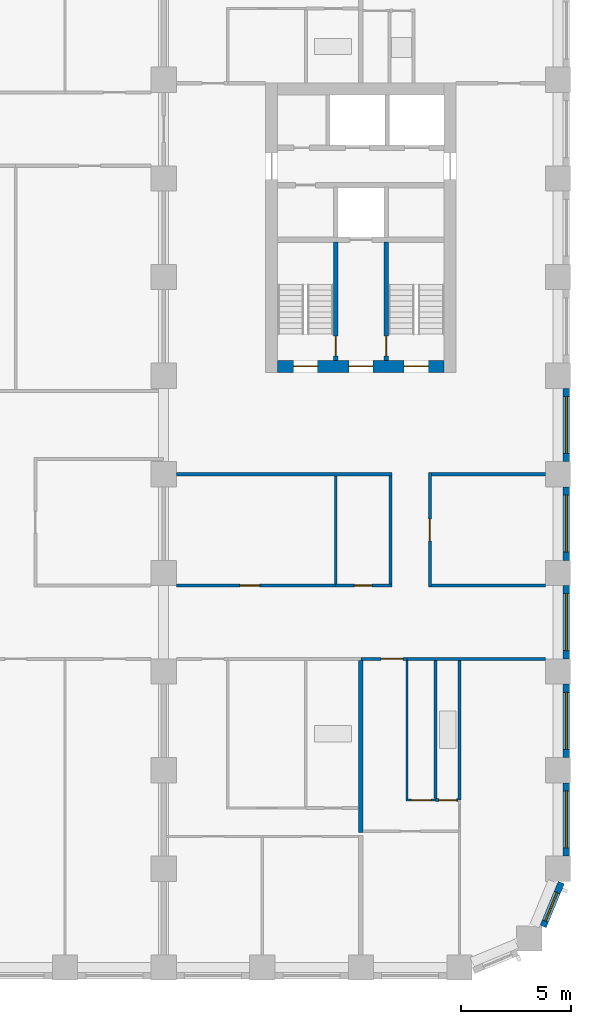
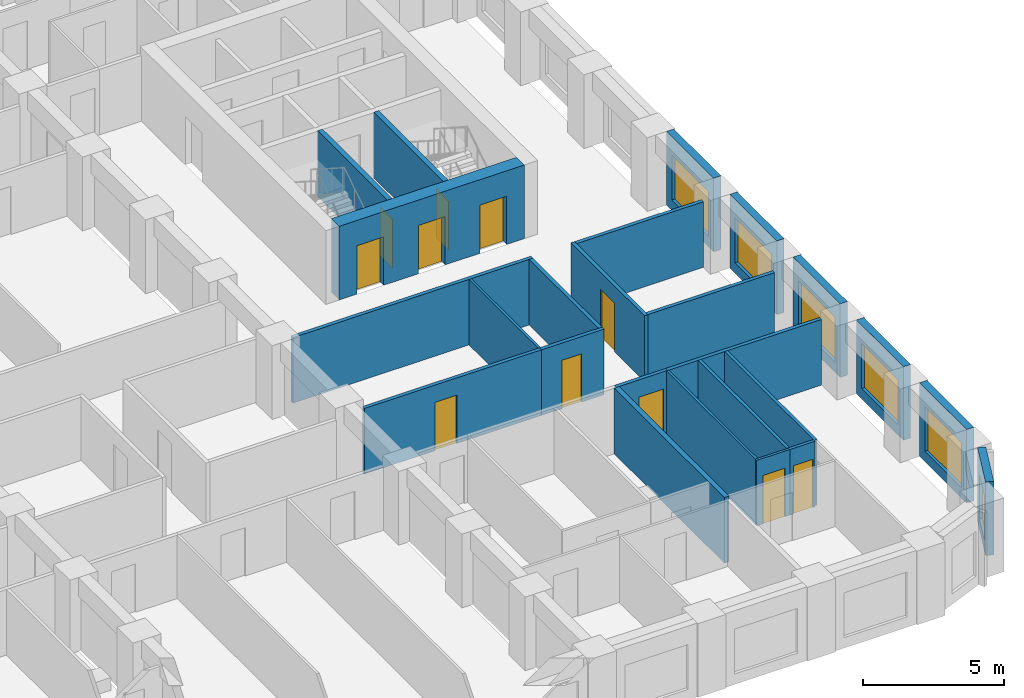
# One storey, part 5 of 12: 25 walls, 11 doors, 6 windows, 17 openings.
"""IFC4 building model written with IfcOpenShell, lengths in metres."""

from ifc_helpers import new_model, si_unit, direction, frame, frame_2d, origin, place, context, subcontext, project, spatial, rectangle, extrude, material, layer, layer_set, type_object, element, fill, save


model = new_model("IFC4")

# Units and contexts
model_context = context("Model", 3, precision=1e-05, world=origin(), true_north=direction((0.0, 1.0)))
body_context = subcontext(model_context, "Body", "Model", "MODEL_VIEW")
ifc_project = project(units=[si_unit("LENGTHUNIT", "METRE"), si_unit("AREAUNIT", "SQUARE_METRE"), si_unit("VOLUMEUNIT", "CUBIC_METRE"), si_unit("PLANEANGLEUNIT", "RADIAN"), si_unit("MASSUNIT", "GRAM", prefix="KILO")], contexts=[model_context])

# Site, building, storey
site_placement = place(None, origin())
site = spatial("IfcSite", under=ifc_project, at=site_placement, CompositionType="ELEMENT")
building_placement = place(site_placement, origin())
building = spatial("IfcBuilding", under=site, at=building_placement, Name="Girih Gate Residences", CompositionType="ELEMENT")
storey_placement = place(building_placement, frame((0.0, 0.0, 121.60009765625)))
storey = spatial("IfcBuildingStorey", under=building, at=storey_placement, Name="L34", CompositionType="ELEMENT", Elevation=121.60009765625)

# Wall, opening, door
ifc_material_1 = material(Name="Gypsum board on steel studs", Category="steel")
ifc_layer_1 = layer(ifc_material_1, 0.14990234375)
ifc_layer_set_1 = layer_set([ifc_layer_1], Name="Compartment wall 150 mm")
wall_type_1 = type_object("IfcWallType", Name="Compartment wall 150 mm", PredefinedType="PARTITIONING", material=ifc_layer_set_1)
wall_1_placement = place(storey_placement, frame((42.60009765625, 14.074951171875, 0.0), z_axis=(0.0, 0.0, 1.0), x_axis=(-1.0, 0.0, 0.0)))
wall_1 = element("IfcWall", 1, at=wall_1_placement, inside=storey, type_object=wall_type_1, Name="L34 partition", PredefinedType="PARTITIONING", context=body_context, shape_type="SweptSolid", body=[
    extrude(rectangle(XDim=2.10009765625, YDim=0.14990234375, at=frame_2d((1.050048828125, 0.0))), origin(), (0.0, 0.0, 1.0), 2.849853515625),
])
opening_1_placement = place(wall_1_placement, frame((0.175048828125, 0.0, 0.0)))
opening_1 = element("IfcOpeningElement", 2, at=opening_1_placement, cuts=wall_1, Name="Opening A34-018", PredefinedType="OPENING", context=body_context, shape_type="SweptSolid", body=[
    extrude(rectangle(XDim=1.0, YDim=2.10009765625, at=frame_2d((0.5, 1.050048828125))), frame((0.0, 0.0849609375, 0.0), z_axis=(0.0, -1.0, 0.0), x_axis=(1.0, 0.0, 0.0)), (0.0, 0.0, 1.0), 0.169921875),
])
ifc_material_2 = material(Name="Timber, fire-rated core", Category="wood")
door_type_1 = type_object("IfcDoorType", Name="Flat entrance door 1000x2100 FD30S", OperationType="NOTDEFINED", PredefinedType="DOOR", material=ifc_material_2)
door_1_placement = place(opening_1_placement, origin())
door_1 = element("IfcDoor", 3, at=door_1_placement, inside=storey, type_object=door_type_1, Name="Door A34-018", OperationType="SINGLE_SWING_LEFT", OverallHeight=2.10009765625, OverallWidth=1.0, PredefinedType="DOOR", context=body_context, shape_type="SweptSolid", body=[
    extrude(rectangle(XDim=1.0, YDim=2.10009765625, at=frame_2d((0.5, 1.050048828125))), frame((0.0, 0.02490234375, 0.0), z_axis=(0.0, -1.0, 0.0), x_axis=(1.0, 0.0, 0.0)), (0.0, 0.0, 1.0), 0.050048828125),
])
fill(opening_1, door_1)

# Wall
wall_2_placement = place(storey_placement, frame((42.60009765625, 14.074951171875, 0.0), z_axis=(0.0, 0.0, 1.0), x_axis=(1.0, 0.0, 0.0)))
element("IfcWall", 4, at=wall_2_placement, inside=storey, type_object=wall_type_1, Name="L34 partition", PredefinedType="PARTITIONING", context=body_context, shape_type="SweptSolid", body=[
    extrude(rectangle(XDim=6.324951171875, YDim=0.14990234375, at=frame_2d((3.16259765625, 0.0))), origin(), (0.0, 0.0, 1.0), 2.849853515625),
])

# Wall, opening, door
wall_3_placement = place(storey_placement, frame((32.074951171875, 17.425048828125, 0.0), z_axis=(0.0, 0.0, 1.0), x_axis=(1.0, 0.0, 0.0)))
wall_3 = element("IfcWall", 5, at=wall_3_placement, inside=storey, type_object=wall_type_1, Name="L34 partition", PredefinedType="PARTITIONING", context=body_context, shape_type="SweptSolid", body=[
    extrude(rectangle(XDim=7.275146484375, YDim=0.14990234375, at=frame_2d((3.6376953125, 0.0))), origin(), (0.0, 0.0, 1.0), 2.849853515625),
])
opening_2_placement = place(wall_3_placement, frame((2.89990234375, 0.0, 0.0)))
opening_2 = element("IfcOpeningElement", 6, at=opening_2_placement, cuts=wall_3, Name="Opening A34-045", PredefinedType="OPENING", context=body_context, shape_type="SweptSolid", body=[
    extrude(rectangle(XDim=0.89990234375, YDim=2.10009765625, at=frame_2d((0.449951171875, 1.050048828125))), frame((0.0, 0.0849609375, 0.0), z_axis=(0.0, -1.0, 0.0), x_axis=(1.0, 0.0, 0.0)), (0.0, 0.0, 1.0), 0.169921875),
])
ifc_material_3 = material(Name="Timber", Category="wood")
door_type_2 = type_object("IfcDoorType", Name="Service room door 900x2100", OperationType="NOTDEFINED", PredefinedType="DOOR", material=ifc_material_3)
door_2_placement = place(opening_2_placement, origin())
door_2 = element("IfcDoor", 7, at=door_2_placement, inside=storey, type_object=door_type_2, Name="Door A34-045", OperationType="SINGLE_SWING_LEFT", OverallHeight=2.10009765625, OverallWidth=0.89990234375, PredefinedType="DOOR", context=body_context, shape_type="SweptSolid", body=[
    extrude(rectangle(XDim=0.89990234375, YDim=2.10009765625, at=frame_2d((0.449951171875, 1.050048828125))), frame((0.0, 0.02490234375, 0.0), z_axis=(0.0, -1.0, 0.0), x_axis=(1.0, 0.0, 0.0)), (0.0, 0.0, 1.0), 0.050048828125),
])
fill(opening_2, door_2)

wall_4_placement = place(storey_placement, frame((39.35009765625, 17.425048828125, 0.0), z_axis=(0.0, 0.0, 1.0), x_axis=(1.0, 0.0, 0.0)))
wall_4 = element("IfcWall", 8, at=wall_4_placement, inside=storey, type_object=wall_type_1, Name="L34 partition", PredefinedType="PARTITIONING", context=body_context, shape_type="SweptSolid", body=[
    extrude(rectangle(XDim=2.574951171875, YDim=0.14990234375, at=frame_2d((1.28759765625, 0.0))), origin(), (0.0, 0.0, 1.0), 2.849853515625),
])
opening_3_placement = place(wall_4_placement, frame((0.85009765625, 0.0, 0.0)))
opening_3 = element("IfcOpeningElement", 9, at=opening_3_placement, cuts=wall_4, Name="Opening A34-047", PredefinedType="OPENING", context=body_context, shape_type="SweptSolid", body=[
    extrude(rectangle(XDim=0.800048828125, YDim=2.10009765625, at=frame_2d((0.39990234375, 1.050048828125))), frame((0.0, 0.0849609375, 0.0), z_axis=(0.0, -1.0, 0.0), x_axis=(1.0, 0.0, 0.0)), (0.0, 0.0, 1.0), 0.169921875),
])
door_type_3 = type_object("IfcDoorType", Name="Bathroom door 800x2100", OperationType="NOTDEFINED", PredefinedType="DOOR", material=ifc_material_3)
door_3_placement = place(opening_3_placement, origin())
door_3 = element("IfcDoor", 10, at=door_3_placement, inside=storey, type_object=door_type_3, Name="Door A34-047", OperationType="SINGLE_SWING_LEFT", OverallHeight=2.10009765625, OverallWidth=0.800048828125, PredefinedType="DOOR", context=body_context, shape_type="SweptSolid", body=[
    extrude(rectangle(XDim=0.800048828125, YDim=2.10009765625, at=frame_2d((0.39990234375, 1.050048828125))), frame((0.0, 0.02490234375, 0.0), z_axis=(0.0, -1.0, 0.0), x_axis=(1.0, 0.0, 0.0)), (0.0, 0.0, 1.0), 0.050048828125),
])
fill(opening_3, door_3)

# Walls
wall_5_placement = place(storey_placement, frame((43.72509765625, 17.425048828125, 0.0), z_axis=(0.0, 0.0, 1.0), x_axis=(1.0, 0.0, 0.0)))
element("IfcWall", 11, at=wall_5_placement, inside=storey, type_object=wall_type_1, Name="L34 partition", PredefinedType="PARTITIONING", context=body_context, shape_type="SweptSolid", body=[
    extrude(rectangle(XDim=5.199951171875, YDim=0.14990234375, at=frame_2d((2.60009765625, 0.0))), origin(), (0.0, 0.0, 1.0), 2.849853515625),
])
wall_6_placement = place(storey_placement, frame((32.074951171875, 22.5, 0.0), z_axis=(0.0, 0.0, 1.0), x_axis=(1.0, 0.0, 0.0)))
element("IfcWall", 12, at=wall_6_placement, inside=storey, type_object=wall_type_1, Name="L34 partition", PredefinedType="PARTITIONING", context=body_context, shape_type="SweptSolid", body=[
    extrude(rectangle(XDim=9.85009765625, YDim=0.14990234375, at=frame_2d((4.925048828125, 0.0))), origin(), (0.0, 0.0, 1.0), 2.849853515625),
])
wall_7_placement = place(storey_placement, frame((43.72509765625, 22.5, 0.0), z_axis=(0.0, 0.0, 1.0), x_axis=(1.0, 0.0, 0.0)))
element("IfcWall", 13, at=wall_7_placement, inside=storey, type_object=wall_type_1, Name="L34 partition", PredefinedType="PARTITIONING", context=body_context, shape_type="SweptSolid", body=[
    extrude(rectangle(XDim=5.199951171875, YDim=0.14990234375, at=frame_2d((2.60009765625, 0.0))), origin(), (0.0, 0.0, 1.0), 2.849853515625),
])
wall_8_placement = place(storey_placement, frame((41.85009765625, 17.5, 0.0), z_axis=(0.0, 0.0, 1.0), x_axis=(0.0, 1.0, 0.0)))
element("IfcWall", 14, at=wall_8_placement, inside=storey, type_object=wall_type_1, Name="L34 partition", PredefinedType="PARTITIONING", context=body_context, shape_type="SweptSolid", body=[
    extrude(rectangle(XDim=4.925048828125, YDim=0.14990234375, at=frame_2d((2.46240234375, 0.0))), origin(), (0.0, 0.0, 1.0), 2.849853515625),
])

# Wall, opening, door
wall_9_placement = place(storey_placement, frame((43.64990234375, 22.574951171875, 0.0), z_axis=(0.0, 0.0, 1.0), x_axis=(0.0, -1.0, 0.0)))
wall_9 = element("IfcWall", 15, at=wall_9_placement, inside=storey, type_object=wall_type_1, Name="L34 partition", PredefinedType="PARTITIONING", context=body_context, shape_type="SweptSolid", body=[
    extrude(rectangle(XDim=5.224853515625, YDim=0.14990234375, at=frame_2d((2.6123046875, 0.0))), origin(), (0.0, 0.0, 1.0), 2.849853515625),
])
opening_4_placement = place(wall_9_placement, frame((2.112548828125, 0.0, 0.0)))
opening_4 = element("IfcOpeningElement", 16, at=opening_4_placement, cuts=wall_9, Name="Opening A34-049", PredefinedType="OPENING", context=body_context, shape_type="SweptSolid", body=[
    extrude(rectangle(XDim=1.0, YDim=2.10009765625, at=frame_2d((0.5, 1.050048828125))), frame((0.0, 0.0849609375, 0.0), z_axis=(0.0, -1.0, 0.0), x_axis=(1.0, 0.0, 0.0)), (0.0, 0.0, 1.0), 0.169921875),
])
door_type_4 = type_object("IfcDoorType", Name="Amenity room door 1000x2100 FD30S", OperationType="NOTDEFINED", PredefinedType="DOOR", material=ifc_material_2)
door_4_placement = place(opening_4_placement, origin())
door_4 = element("IfcDoor", 17, at=door_4_placement, inside=storey, type_object=door_type_4, Name="Door A34-049", OperationType="SINGLE_SWING_RIGHT", OverallHeight=2.10009765625, OverallWidth=1.0, PredefinedType="DOOR", context=body_context, shape_type="SweptSolid", body=[
    extrude(rectangle(XDim=1.0, YDim=2.10009765625, at=frame_2d((0.5, 1.050048828125))), frame((0.0, 0.02490234375, 0.0), z_axis=(0.0, -1.0, 0.0), x_axis=(1.0, 0.0, 0.0)), (0.0, 0.0, 1.0), 0.050048828125),
])
fill(opening_4, door_4)

# Wall, openings, doors
ifc_material_4 = material(Name="Concrete C60/75", Category="concrete")
ifc_layer_2 = layer(ifc_material_4, 0.550048828125)
ifc_layer_set_2 = layer_set([ifc_layer_2], Name="Core wall RC 550 Concrete C60/75")
wall_type_2 = type_object("IfcWallType", Name="Core wall RC 550 Concrete C60/75", PredefinedType="SOLIDWALL", material=ifc_layer_set_2)
wall_10_placement = place(storey_placement, frame((36.699951171875, 27.425048828125, 0.0), z_axis=(0.0, 0.0, 1.0), x_axis=(1.0, 0.0, 0.0)))
wall_10 = element("IfcWall", 18, at=wall_10_placement, inside=storey, type_object=wall_type_2, Name="Core wall E-S L34", PredefinedType="SOLIDWALL", context=body_context, shape_type="SweptSolid", body=[
    extrude(rectangle(XDim=7.60009765625, YDim=0.550048828125, at=frame_2d((3.800048828125, 0.0))), origin(), (0.0, 0.0, 1.0), 3.199951171875),
])
opening_5_placement = place(wall_10_placement, frame((5.77490234375, 0.0, 0.0)))
opening_5 = element("IfcOpeningElement", 19, at=opening_5_placement, cuts=wall_10, Name="Opening D-L34-E-008", PredefinedType="OPENING", context=body_context, shape_type="SweptSolid", body=[
    extrude(rectangle(XDim=1.10009765625, YDim=2.10009765625, at=frame_2d((0.550048828125, 1.050048828125))), frame((0.0, 0.284912109375, 0.0), z_axis=(0.0, -1.0, 0.0), x_axis=(1.0, 0.0, 0.0)), (0.0, 0.0, 1.0), 0.570068359375),
])
opening_6_placement = place(wall_10_placement, frame((3.25, 0.0, 0.0)))
opening_6 = element("IfcOpeningElement", 20, at=opening_6_placement, cuts=wall_10, Name="Opening D-L34-E-009", PredefinedType="OPENING", context=body_context, shape_type="SweptSolid", body=[
    extrude(rectangle(XDim=1.10009765625, YDim=2.10009765625, at=frame_2d((0.550048828125, 1.050048828125))), frame((0.0, 0.284912109375, 0.0), z_axis=(0.0, -1.0, 0.0), x_axis=(1.0, 0.0, 0.0)), (0.0, 0.0, 1.0), 0.570068359375),
])
opening_7_placement = place(wall_10_placement, frame((0.72509765625, 0.0, 0.0)))
opening_7 = element("IfcOpeningElement", 21, at=opening_7_placement, cuts=wall_10, Name="Opening D-L34-E-010", PredefinedType="OPENING", context=body_context, shape_type="SweptSolid", body=[
    extrude(rectangle(XDim=1.10009765625, YDim=2.10009765625, at=frame_2d((0.550048828125, 1.050048828125))), frame((0.0, 0.284912109375, 0.0), z_axis=(0.0, -1.0, 0.0), x_axis=(1.0, 0.0, 0.0)), (0.0, 0.0, 1.0), 0.570068359375),
])
ifc_material_5 = material(Name="Painted steel, fire-resisting", Category="steel")
door_type_5 = type_object("IfcDoorType", Name="Fire door 1100x2100", OperationType="SINGLE_SWING_LEFT", PredefinedType="DOOR", material=ifc_material_5)
door_5_placement = place(opening_5_placement, origin())
door_5 = element("IfcDoor", 22, at=door_5_placement, inside=storey, type_object=door_type_5, Name="L34 E core door sta-out", OperationType="SINGLE_SWING_LEFT", OverallHeight=2.10009765625, OverallWidth=1.10009765625, PredefinedType="DOOR", context=body_context, shape_type="SweptSolid", body=[
    extrude(rectangle(XDim=1.10009765625, YDim=2.10009765625, at=frame_2d((0.550048828125, 1.050048828125))), frame((0.0, 0.02490234375, 0.0), z_axis=(0.0, -1.0, 0.0), x_axis=(1.0, 0.0, 0.0)), (0.0, 0.0, 1.0), 0.050048828125),
])
fill(opening_5, door_5)
door_6_placement = place(opening_6_placement, origin())
door_6 = element("IfcDoor", 23, at=door_6_placement, inside=storey, type_object=door_type_5, Name="L34 E core door ffl-out", OperationType="SINGLE_SWING_LEFT", OverallHeight=2.10009765625, OverallWidth=1.10009765625, PredefinedType="DOOR", context=body_context, shape_type="SweptSolid", body=[
    extrude(rectangle(XDim=1.10009765625, YDim=2.10009765625, at=frame_2d((0.550048828125, 1.050048828125))), frame((0.0, 0.02490234375, 0.0), z_axis=(0.0, -1.0, 0.0), x_axis=(1.0, 0.0, 0.0)), (0.0, 0.0, 1.0), 0.050048828125),
])
fill(opening_6, door_6)
door_7_placement = place(opening_7_placement, origin())
door_7 = element("IfcDoor", 24, at=door_7_placement, inside=storey, type_object=door_type_5, Name="L34 E core door stb-out", OperationType="SINGLE_SWING_LEFT", OverallHeight=2.10009765625, OverallWidth=1.10009765625, PredefinedType="DOOR", context=body_context, shape_type="SweptSolid", body=[
    extrude(rectangle(XDim=1.10009765625, YDim=2.10009765625, at=frame_2d((0.550048828125, 1.050048828125))), frame((0.0, 0.02490234375, 0.0), z_axis=(0.0, -1.0, 0.0), x_axis=(1.0, 0.0, 0.0)), (0.0, 0.0, 1.0), 0.050048828125),
])
fill(opening_7, door_7)

# Wall
ifc_layer_3 = layer(ifc_material_1, 0.10009765625)
ifc_layer_set_3 = layer_set([ifc_layer_3], Name="Partition 100 mm")
wall_type_3 = type_object("IfcWallType", Name="Partition 100 mm", PredefinedType="PARTITIONING", material=ifc_layer_set_3)
wall_11_placement = place(storey_placement, frame((42.60009765625, 7.68505859375, 0.0), z_axis=(0.0, 0.0, 1.0), x_axis=(0.0, 1.0, 0.0)))
element("IfcWall", 25, at=wall_11_placement, inside=storey, type_object=wall_type_3, Name="L34 partition", PredefinedType="PARTITIONING", context=body_context, shape_type="SweptSolid", body=[
    extrude(rectangle(XDim=6.31494140625, YDim=0.10009765625, at=frame_2d((3.157470703125, 0.0))), origin(), (0.0, 0.0, 1.0), 2.849853515625),
])

# Wall, opening, door
wall_12_placement = place(storey_placement, frame((42.550048828125, 7.635009765625, 0.0), z_axis=(0.0, 0.0, 1.0), x_axis=(1.0, 0.0, 0.0)))
wall_12 = element("IfcWall", 26, at=wall_12_placement, inside=storey, type_object=wall_type_3, Name="L34 partition", PredefinedType="PARTITIONING", context=body_context, shape_type="SweptSolid", body=[
    extrude(rectangle(XDim=1.359130859375, YDim=0.10009765625, at=frame_2d((0.6796875, 0.0))), origin(), (0.0, 0.0, 1.0), 2.849853515625),
])
opening_8_placement = place(wall_12_placement, frame((0.25439453125, 0.0, 0.0)))
opening_8 = element("IfcOpeningElement", 27, at=opening_8_placement, cuts=wall_12, Name="Opening A34-016", PredefinedType="OPENING", context=body_context, shape_type="SweptSolid", body=[
    extrude(rectangle(XDim=0.89990234375, YDim=2.10009765625, at=frame_2d((0.449951171875, 1.050048828125))), frame((0.0, 0.06005859375, 0.0), z_axis=(0.0, -1.0, 0.0), x_axis=(1.0, 0.0, 0.0)), (0.0, 0.0, 1.0), 0.1201171875),
])
door_type_6 = type_object("IfcDoorType", Name="Kitchen door 900x2100", OperationType="NOTDEFINED", PredefinedType="DOOR", material=ifc_material_3)
door_8_placement = place(opening_8_placement, origin())
door_8 = element("IfcDoor", 28, at=door_8_placement, inside=storey, type_object=door_type_6, Name="Door A34-016", OperationType="SINGLE_SWING_RIGHT", OverallHeight=2.10009765625, OverallWidth=0.89990234375, PredefinedType="DOOR", context=body_context, shape_type="SweptSolid", body=[
    extrude(rectangle(XDim=0.89990234375, YDim=2.10009765625, at=frame_2d((0.449951171875, 1.050048828125))), frame((0.0, 0.02490234375, 0.0), z_axis=(0.0, -1.0, 0.0), x_axis=(1.0, 0.0, 0.0)), (0.0, 0.0, 1.0), 0.050048828125),
])
fill(opening_8, door_8)

# Walls
wall_13_placement = place(storey_placement, frame((39.35009765625, 17.5, 0.0), z_axis=(0.0, 0.0, 1.0), x_axis=(0.0, 1.0, 0.0)))
element("IfcWall", 29, at=wall_13_placement, inside=storey, type_object=wall_type_3, Name="L34 partition", PredefinedType="PARTITIONING", context=body_context, shape_type="SweptSolid", body=[
    extrude(rectangle(XDim=4.925048828125, YDim=0.10009765625, at=frame_2d((2.46240234375, 0.0))), origin(), (0.0, 0.0, 1.0), 2.849853515625),
])
ifc_layer_4 = layer(ifc_material_1, 0.199951171875)
ifc_layer_set_4 = layer_set([ifc_layer_4], Name="Party wall 200 mm")
wall_type_4 = type_object("IfcWallType", Name="Party wall 200 mm", PredefinedType="PARTITIONING", material=ifc_layer_set_4)
wall_14_placement = place(storey_placement, frame((40.5, 6.1650390625, 0.0), z_axis=(0.0, 0.0, 1.0), x_axis=(0.0, 1.0, 0.0)))
element("IfcWall", 30, at=wall_14_placement, inside=storey, type_object=wall_type_4, Name="L34 partition", PredefinedType="PARTITIONING", context=body_context, shape_type="SweptSolid", body=[
    extrude(rectangle(XDim=7.8349609375, YDim=0.199951171875, at=frame_2d((3.91748046875, 0.0))), origin(), (0.0, 0.0, 1.0), 2.849853515625),
])

# Wall, opening, window
ifc_material_6 = material(Name="Precast concrete C50/60", Category="concrete")
ifc_layer_5 = layer(ifc_material_6, 0.080078125, Name="Outer leaf")
ifc_material_7 = material(Name="Rigid PIR insulation")
ifc_layer_6 = layer(ifc_material_7, 0.14990234375, Name="Insulation")
ifc_material_8 = material(Name="Precast concrete C40/50", Category="concrete")
ifc_layer_7 = layer(ifc_material_8, 0.070068359375, Name="Inner leaf")
ifc_layer_set_5 = layer_set([ifc_layer_5, ifc_layer_6, ifc_layer_7], Name="Precast concrete C50/60 external wall 300")
wall_type_5 = type_object("IfcWallType", Name="Precast concrete C50/60 external wall 300", PredefinedType="SOLIDWALL", material=ifc_layer_set_5)
wall_15_placement = place(storey_placement, frame((49.64404296875, 3.86767578125, 0.0), z_axis=(0.0, 0.0, 1.0), x_axis=(-0.382723818695, -0.923862802911, 0.0)))
wall_15 = element("IfcWall", 31, at=wall_15_placement, inside=storey, type_object=wall_type_5, Name="External wall SE0482_0013.0", PredefinedType="SOLIDWALL", context=body_context, shape_type="SweptSolid", body=[
    extrude(rectangle(XDim=2.163818359375, YDim=0.300048828125, at=frame_2d((1.08203125, 0.0))), origin(), (0.0, 0.0, 1.0), 3.199951171875),
])
opening_9_placement = place(wall_15_placement, frame((0.492919921875, 0.0, 0.449951171875)))
opening_9 = element("IfcOpeningElement", 32, at=opening_9_placement, cuts=wall_15, Name="Opening W-2D", PredefinedType="OPENING", context=body_context, shape_type="SweptSolid", body=[
    extrude(rectangle(XDim=1.39990234375, YDim=1.949951171875, at=frame_2d((0.699951171875, 0.97509765625))), frame((0.0, 0.159912109375, 0.0), z_axis=(0.0, -1.0, 0.0), x_axis=(1.0, 0.0, 0.0)), (0.0, 0.0, 1.0), 0.320068359375),
])
ifc_material_9 = material(Name="Double glazing in aluminium frame", Category="aluminium")
window_type_1 = type_object("IfcWindowType", Name="Window W-2D 1400x1950", PartitioningType="SINGLE_PANEL", PredefinedType="WINDOW", material=ifc_material_9)
window_1_placement = place(opening_9_placement, origin())
window_1 = element("IfcWindow", 33, at=window_1_placement, inside=storey, type_object=window_type_1, Name="Window W-2D SE0482_0013.0", OverallHeight=1.949951171875, OverallWidth=1.39990234375, PartitioningType="SINGLE_PANEL", PredefinedType="WINDOW", context=body_context, shape_type="SweptSolid", body=[
    extrude(rectangle(XDim=1.39990234375, YDim=1.949951171875, at=frame_2d((0.699951171875, 0.97509765625))), frame((0.0, 0.030029296875, 0.0), z_axis=(0.0, -1.0, 0.0), x_axis=(1.0, 0.0, 0.0)), (0.0, 0.0, 1.0), 0.06005859375),
])
fill(opening_9, window_1)

wall_16_placement = place(storey_placement, frame((49.875, 8.425048828125, 0.0), z_axis=(0.0, 0.0, 1.0), x_axis=(0.0, -1.0, 0.0)))
wall_16 = element("IfcWall", 34, at=wall_16_placement, inside=storey, type_object=wall_type_5, Name="External wall E0495_0045.0", PredefinedType="SOLIDWALL", context=body_context, shape_type="SweptSolid", body=[
    extrude(rectangle(XDim=3.35009765625, YDim=0.300048828125, at=frame_2d((1.675048828125, 0.0))), origin(), (0.0, 0.0, 1.0), 3.199951171875),
])
opening_10_placement = place(wall_16_placement, frame((0.375, 0.0, 0.449951171875)))
opening_10 = element("IfcOpeningElement", 35, at=opening_10_placement, cuts=wall_16, Name="Opening W-1A", PredefinedType="OPENING", context=body_context, shape_type="SweptSolid", body=[
    extrude(rectangle(XDim=2.60009765625, YDim=1.949951171875, at=frame_2d((1.300048828125, 0.97509765625))), frame((0.0, 0.159912109375, 0.0), z_axis=(0.0, -1.0, 0.0), x_axis=(1.0, 0.0, 0.0)), (0.0, 0.0, 1.0), 0.320068359375),
])
window_type_2 = type_object("IfcWindowType", Name="Window W-1A 2600x1950", PartitioningType="SINGLE_PANEL", PredefinedType="WINDOW", material=ifc_material_9)
window_2_placement = place(opening_10_placement, origin())
window_2 = element("IfcWindow", 36, at=window_2_placement, inside=storey, type_object=window_type_2, Name="Window W-1A E0495_0045.0", OverallHeight=1.949951171875, OverallWidth=2.60009765625, PartitioningType="SINGLE_PANEL", PredefinedType="WINDOW", context=body_context, shape_type="SweptSolid", body=[
    extrude(rectangle(XDim=2.60009765625, YDim=1.949951171875, at=frame_2d((1.300048828125, 0.97509765625))), frame((0.0, 0.030029296875, 0.0), z_axis=(0.0, -1.0, 0.0), x_axis=(1.0, 0.0, 0.0)), (0.0, 0.0, 1.0), 0.06005859375),
])
fill(opening_10, window_2)

wall_17_placement = place(storey_placement, frame((49.875, 12.925048828125, 0.0), z_axis=(0.0, 0.0, 1.0), x_axis=(0.0, -1.0, 0.0)))
wall_17 = element("IfcWall", 37, at=wall_17_placement, inside=storey, type_object=wall_type_5, Name="External wall E0495_0045.1", PredefinedType="SOLIDWALL", context=body_context, shape_type="SweptSolid", body=[
    extrude(rectangle(XDim=3.35009765625, YDim=0.300048828125, at=frame_2d((1.675048828125, 0.0))), origin(), (0.0, 0.0, 1.0), 3.199951171875),
])
opening_11_placement = place(wall_17_placement, frame((0.375, 0.0, 0.449951171875)))
opening_11 = element("IfcOpeningElement", 38, at=opening_11_placement, cuts=wall_17, Name="Opening W-1A", PredefinedType="OPENING", context=body_context, shape_type="SweptSolid", body=[
    extrude(rectangle(XDim=2.60009765625, YDim=1.949951171875, at=frame_2d((1.300048828125, 0.97509765625))), frame((0.0, 0.159912109375, 0.0), z_axis=(0.0, -1.0, 0.0), x_axis=(1.0, 0.0, 0.0)), (0.0, 0.0, 1.0), 0.320068359375),
])
window_3_placement = place(opening_11_placement, origin())
window_3 = element("IfcWindow", 39, at=window_3_placement, inside=storey, type_object=window_type_2, Name="Window W-1A E0495_0045.1", OverallHeight=1.949951171875, OverallWidth=2.60009765625, PartitioningType="SINGLE_PANEL", PredefinedType="WINDOW", context=body_context, shape_type="SweptSolid", body=[
    extrude(rectangle(XDim=2.60009765625, YDim=1.949951171875, at=frame_2d((1.300048828125, 0.97509765625))), frame((0.0, 0.030029296875, 0.0), z_axis=(0.0, -1.0, 0.0), x_axis=(1.0, 0.0, 0.0)), (0.0, 0.0, 1.0), 0.06005859375),
])
fill(opening_11, window_3)

wall_18_placement = place(storey_placement, frame((49.875, 17.425048828125, 0.0), z_axis=(0.0, 0.0, 1.0), x_axis=(0.0, -1.0, 0.0)))
wall_18 = element("IfcWall", 40, at=wall_18_placement, inside=storey, type_object=wall_type_5, Name="External wall E0495_0045.2", PredefinedType="SOLIDWALL", context=body_context, shape_type="SweptSolid", body=[
    extrude(rectangle(XDim=3.35009765625, YDim=0.300048828125, at=frame_2d((1.675048828125, 0.0))), origin(), (0.0, 0.0, 1.0), 3.199951171875),
])
opening_12_placement = place(wall_18_placement, frame((0.375, 0.0, 0.449951171875)))
opening_12 = element("IfcOpeningElement", 41, at=opening_12_placement, cuts=wall_18, Name="Opening W-1A", PredefinedType="OPENING", context=body_context, shape_type="SweptSolid", body=[
    extrude(rectangle(XDim=2.60009765625, YDim=1.949951171875, at=frame_2d((1.300048828125, 0.97509765625))), frame((0.0, 0.159912109375, 0.0), z_axis=(0.0, -1.0, 0.0), x_axis=(1.0, 0.0, 0.0)), (0.0, 0.0, 1.0), 0.320068359375),
])
window_4_placement = place(opening_12_placement, origin())
window_4 = element("IfcWindow", 42, at=window_4_placement, inside=storey, type_object=window_type_2, Name="Window W-1A E0495_0045.2", OverallHeight=1.949951171875, OverallWidth=2.60009765625, PartitioningType="SINGLE_PANEL", PredefinedType="WINDOW", context=body_context, shape_type="SweptSolid", body=[
    extrude(rectangle(XDim=2.60009765625, YDim=1.949951171875, at=frame_2d((1.300048828125, 0.97509765625))), frame((0.0, 0.030029296875, 0.0), z_axis=(0.0, -1.0, 0.0), x_axis=(1.0, 0.0, 0.0)), (0.0, 0.0, 1.0), 0.06005859375),
])
fill(opening_12, window_4)

wall_19_placement = place(storey_placement, frame((49.875, 21.925048828125, 0.0), z_axis=(0.0, 0.0, 1.0), x_axis=(0.0, -1.0, 0.0)))
wall_19 = element("IfcWall", 43, at=wall_19_placement, inside=storey, type_object=wall_type_5, Name="External wall E0495_0045.3", PredefinedType="SOLIDWALL", context=body_context, shape_type="SweptSolid", body=[
    extrude(rectangle(XDim=3.35009765625, YDim=0.300048828125, at=frame_2d((1.675048828125, 0.0))), origin(), (0.0, 0.0, 1.0), 3.199951171875),
])
opening_13_placement = place(wall_19_placement, frame((0.375, 0.0, 0.449951171875)))
opening_13 = element("IfcOpeningElement", 44, at=opening_13_placement, cuts=wall_19, Name="Opening W-1A", PredefinedType="OPENING", context=body_context, shape_type="SweptSolid", body=[
    extrude(rectangle(XDim=2.60009765625, YDim=1.949951171875, at=frame_2d((1.300048828125, 0.97509765625))), frame((0.0, 0.159912109375, 0.0), z_axis=(0.0, -1.0, 0.0), x_axis=(1.0, 0.0, 0.0)), (0.0, 0.0, 1.0), 0.320068359375),
])
window_5_placement = place(opening_13_placement, origin())
window_5 = element("IfcWindow", 45, at=window_5_placement, inside=storey, type_object=window_type_2, Name="Window W-1A E0495_0045.3", OverallHeight=1.949951171875, OverallWidth=2.60009765625, PartitioningType="SINGLE_PANEL", PredefinedType="WINDOW", context=body_context, shape_type="SweptSolid", body=[
    extrude(rectangle(XDim=2.60009765625, YDim=1.949951171875, at=frame_2d((1.300048828125, 0.97509765625))), frame((0.0, 0.030029296875, 0.0), z_axis=(0.0, -1.0, 0.0), x_axis=(1.0, 0.0, 0.0)), (0.0, 0.0, 1.0), 0.06005859375),
])
fill(opening_13, window_5)

wall_20_placement = place(storey_placement, frame((49.875, 26.425048828125, 0.0), z_axis=(0.0, 0.0, 1.0), x_axis=(0.0, -1.0, 0.0)))
wall_20 = element("IfcWall", 46, at=wall_20_placement, inside=storey, type_object=wall_type_5, Name="External wall E0495_0045.4", PredefinedType="SOLIDWALL", context=body_context, shape_type="SweptSolid", body=[
    extrude(rectangle(XDim=3.35009765625, YDim=0.300048828125, at=frame_2d((1.675048828125, 0.0))), origin(), (0.0, 0.0, 1.0), 3.199951171875),
])
opening_14_placement = place(wall_20_placement, frame((0.375, 0.0, 0.449951171875)))
opening_14 = element("IfcOpeningElement", 47, at=opening_14_placement, cuts=wall_20, Name="Opening W-1A", PredefinedType="OPENING", context=body_context, shape_type="SweptSolid", body=[
    extrude(rectangle(XDim=2.60009765625, YDim=1.949951171875, at=frame_2d((1.300048828125, 0.97509765625))), frame((0.0, 0.159912109375, 0.0), z_axis=(0.0, -1.0, 0.0), x_axis=(1.0, 0.0, 0.0)), (0.0, 0.0, 1.0), 0.320068359375),
])
window_6_placement = place(opening_14_placement, origin())
window_6 = element("IfcWindow", 48, at=window_6_placement, inside=storey, type_object=window_type_2, Name="Window W-1A E0495_0045.4", OverallHeight=1.949951171875, OverallWidth=2.60009765625, PartitioningType="SINGLE_PANEL", PredefinedType="WINDOW", context=body_context, shape_type="SweptSolid", body=[
    extrude(rectangle(XDim=2.60009765625, YDim=1.949951171875, at=frame_2d((1.300048828125, 0.97509765625))), frame((0.0, 0.030029296875, 0.0), z_axis=(0.0, -1.0, 0.0), x_axis=(1.0, 0.0, 0.0)), (0.0, 0.0, 1.0), 0.06005859375),
])
fill(opening_14, window_6)

# Wall, opening, door
ifc_material_10 = material(Name="Concrete C40/50", Category="concrete")
ifc_layer_8 = layer(ifc_material_10, 0.199951171875)
ifc_layer_set_6 = layer_set([ifc_layer_8], Name="Shaft wall 200")
wall_type_6 = type_object("IfcWallType", Name="Shaft wall 200", PredefinedType="SOLIDWALL", material=ifc_layer_set_6)
wall_21_placement = place(storey_placement, frame((41.64990234375, 27.699951171875, 0.0), z_axis=(0.0, 0.0, 1.0), x_axis=(0.0, 1.0, 0.0)))
wall_21 = element("IfcWall", 49, at=wall_21_placement, inside=storey, type_object=wall_type_6, Name="L34 E core wall V1a", PredefinedType="SOLIDWALL", context=body_context, shape_type="SweptSolid", body=[
    extrude(rectangle(XDim=5.400146484375, YDim=0.199951171875, at=frame_2d((2.7001953125, 0.0))), origin(), (0.0, 0.0, 1.0), 2.849853515625),
])
opening_15_placement = place(wall_21_placement, frame((0.199951171875, 0.0, 0.0)))
opening_15 = element("IfcOpeningElement", 50, at=opening_15_placement, cuts=wall_21, Name="Opening D-L34-E-001", PredefinedType="OPENING", context=body_context, shape_type="SweptSolid", body=[
    extrude(rectangle(XDim=0.89990234375, YDim=2.10009765625, at=frame_2d((0.449951171875, 1.050048828125))), frame((0.0, 0.10986328125, 0.0), z_axis=(0.0, -1.0, 0.0), x_axis=(1.0, 0.0, 0.0)), (0.0, 0.0, 1.0), 0.219970703125),
])
door_type_7 = type_object("IfcDoorType", Name="Fire door 900x2100", OperationType="SINGLE_SWING_LEFT", PredefinedType="DOOR", material=ifc_material_5)
door_9_placement = place(opening_15_placement, origin())
door_9 = element("IfcDoor", 51, at=door_9_placement, inside=storey, type_object=door_type_7, Name="L34 E door stair 1 to firefighting lobby", OperationType="SINGLE_SWING_LEFT", OverallHeight=2.10009765625, OverallWidth=0.89990234375, PredefinedType="DOOR", context=body_context, shape_type="SweptSolid", body=[
    extrude(rectangle(XDim=0.89990234375, YDim=2.10009765625, at=frame_2d((0.449951171875, 1.050048828125))), frame((0.0, 0.02490234375, 0.0), z_axis=(0.0, -1.0, 0.0), x_axis=(1.0, 0.0, 0.0)), (0.0, 0.0, 1.0), 0.050048828125),
])
fill(opening_15, door_9)

wall_22_placement = place(storey_placement, frame((39.35009765625, 27.699951171875, 0.0), z_axis=(0.0, 0.0, 1.0), x_axis=(0.0, 1.0, 0.0)))
wall_22 = element("IfcWall", 52, at=wall_22_placement, inside=storey, type_object=wall_type_6, Name="L34 E core wall V2a", PredefinedType="SOLIDWALL", context=body_context, shape_type="SweptSolid", body=[
    extrude(rectangle(XDim=5.400146484375, YDim=0.199951171875, at=frame_2d((2.7001953125, 0.0))), origin(), (0.0, 0.0, 1.0), 2.849853515625),
])
opening_16_placement = place(wall_22_placement, frame((0.199951171875, 0.0, 0.0)))
opening_16 = element("IfcOpeningElement", 53, at=opening_16_placement, cuts=wall_22, Name="Opening D-L34-E-002", PredefinedType="OPENING", context=body_context, shape_type="SweptSolid", body=[
    extrude(rectangle(XDim=0.89990234375, YDim=2.10009765625, at=frame_2d((0.449951171875, 1.050048828125))), frame((0.0, 0.10986328125, 0.0), z_axis=(0.0, -1.0, 0.0), x_axis=(1.0, 0.0, 0.0)), (0.0, 0.0, 1.0), 0.219970703125),
])
door_10_placement = place(opening_16_placement, origin())
door_10 = element("IfcDoor", 54, at=door_10_placement, inside=storey, type_object=door_type_7, Name="L34 E door stair 2 to firefighting lobby", OperationType="SINGLE_SWING_LEFT", OverallHeight=2.10009765625, OverallWidth=0.89990234375, PredefinedType="DOOR", context=body_context, shape_type="SweptSolid", body=[
    extrude(rectangle(XDim=0.89990234375, YDim=2.10009765625, at=frame_2d((0.449951171875, 1.050048828125))), frame((0.0, 0.02490234375, 0.0), z_axis=(0.0, -1.0, 0.0), x_axis=(1.0, 0.0, 0.0)), (0.0, 0.0, 1.0), 0.050048828125),
])
fill(opening_16, door_10)

ifc_layer_9 = layer(ifc_material_1, 0.125)
ifc_layer_set_7 = layer_set([ifc_layer_9], Name="Wet room wall 125 mm")
wall_type_7 = type_object("IfcWallType", Name="Wet room wall 125 mm", PredefinedType="PARTITIONING", material=ifc_layer_set_7)
wall_23_placement = place(storey_placement, frame((43.9091796875, 7.635009765625, 0.0), z_axis=(0.0, 0.0, 1.0), x_axis=(1.0, 0.0, 0.0)))
wall_23 = element("IfcWall", 55, at=wall_23_placement, inside=storey, type_object=wall_type_7, Name="L34 partition", PredefinedType="PARTITIONING", context=body_context, shape_type="SweptSolid", body=[
    extrude(rectangle(XDim=1.0283203125, YDim=0.125, at=frame_2d((0.51416015625, 0.0))), origin(), (0.0, 0.0, 1.0), 2.849853515625),
])
opening_17_placement = place(wall_23_placement, frame((0.1455078125, 0.0, 0.0)))
opening_17 = element("IfcOpeningElement", 56, at=opening_17_placement, cuts=wall_23, Name="Opening A34-014", PredefinedType="OPENING", context=body_context, shape_type="SweptSolid", body=[
    extrude(rectangle(XDim=0.800048828125, YDim=2.10009765625, at=frame_2d((0.39990234375, 1.050048828125))), frame((0.0, 0.072509765625, 0.0), z_axis=(0.0, -1.0, 0.0), x_axis=(1.0, 0.0, 0.0)), (0.0, 0.0, 1.0), 0.14501953125),
])
door_11_placement = place(opening_17_placement, origin())
door_11 = element("IfcDoor", 57, at=door_11_placement, inside=storey, type_object=door_type_3, Name="Door A34-014", OperationType="SINGLE_SWING_RIGHT", OverallHeight=2.10009765625, OverallWidth=0.800048828125, PredefinedType="DOOR", context=body_context, shape_type="SweptSolid", body=[
    extrude(rectangle(XDim=0.800048828125, YDim=2.10009765625, at=frame_2d((0.39990234375, 1.050048828125))), frame((0.0, 0.02490234375, 0.0), z_axis=(0.0, -1.0, 0.0), x_axis=(1.0, 0.0, 0.0)), (0.0, 0.0, 1.0), 0.050048828125),
])
fill(opening_17, door_11)

# Walls
wall_24_placement = place(storey_placement, frame((43.908935546875, 7.697509765625, 0.0), z_axis=(0.0, 0.0, 1.0), x_axis=(0.0, 1.0, 0.0)))
element("IfcWall", 58, at=wall_24_placement, inside=storey, type_object=wall_type_7, Name="L34 partition", PredefinedType="PARTITIONING", context=body_context, shape_type="SweptSolid", body=[
    extrude(rectangle(XDim=6.302490234375, YDim=0.125, at=frame_2d((3.1513671875, 0.0))), origin(), (0.0, 0.0, 1.0), 2.849853515625),
])
wall_25_placement = place(storey_placement, frame((45.0, 7.635009765625, 0.0), z_axis=(0.0, 0.0, 1.0), x_axis=(0.0, 1.0, 0.0)))
element("IfcWall", 59, at=wall_25_placement, inside=storey, type_object=wall_type_7, Name="L34 partition", PredefinedType="PARTITIONING", context=body_context, shape_type="SweptSolid", body=[
    extrude(rectangle(XDim=6.364990234375, YDim=0.125, at=frame_2d((3.1826171875, 0.0))), origin(), (0.0, 0.0, 1.0), 2.849853515625),
])

save(model, "model.ifc")
